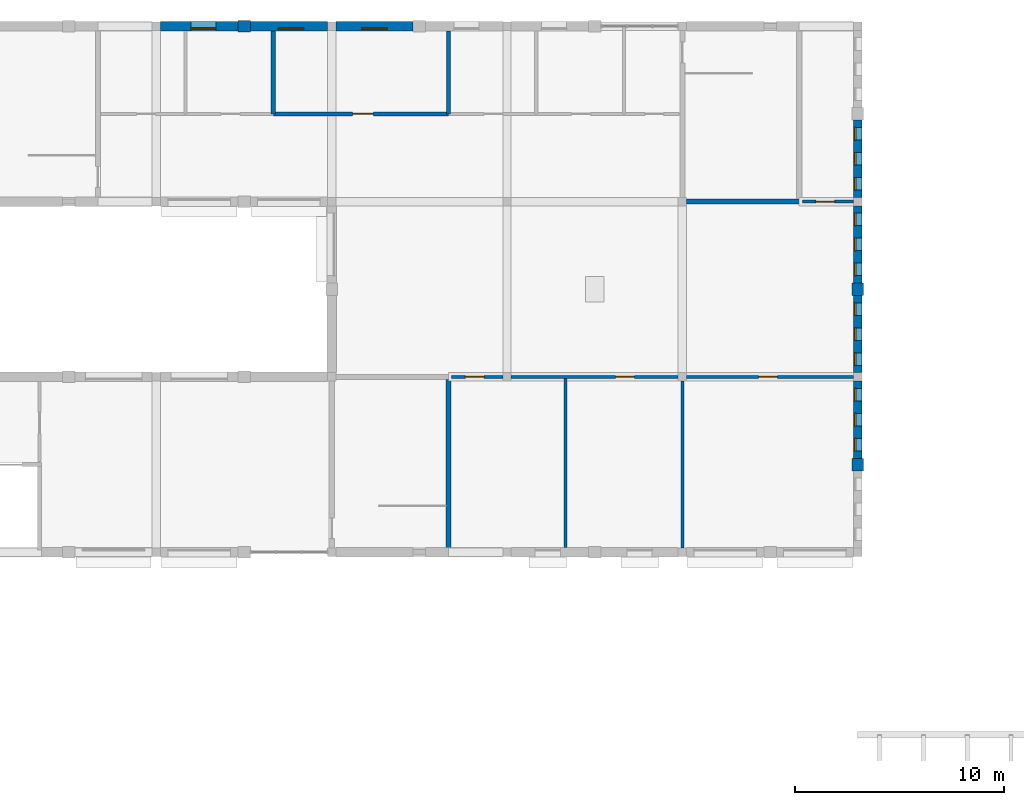
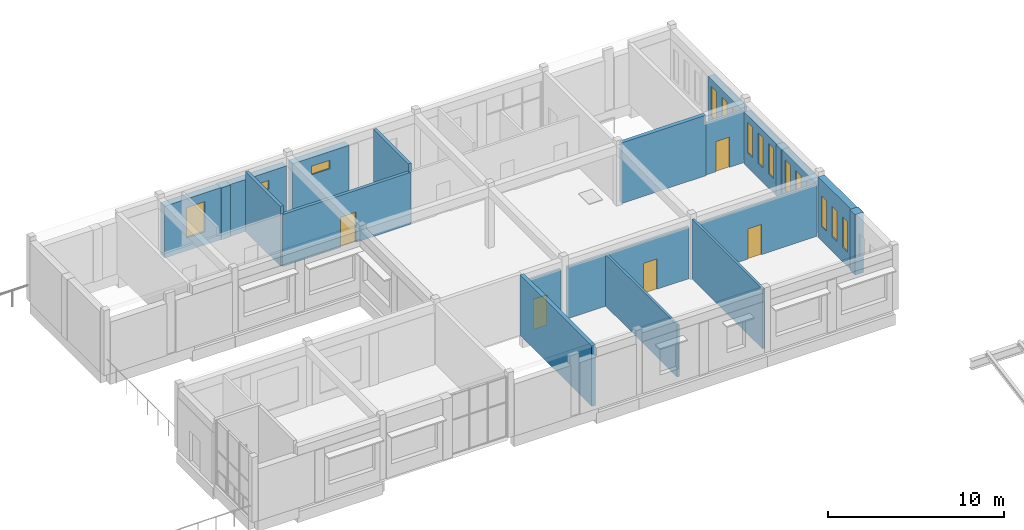
# One storey, part 25 of 30: 21 walls, 15 windows, 5 doors, 20 openings.
"""IFC4 building model written with IfcOpenShell, lengths in metres."""

from ifc_helpers import new_model, si_unit, direction, frame, frame_2d, origin, place, context, subcontext, project, spatial, rectangle, extrude, material, layer, layer_set, type_object, element, fill, save


model = new_model("IFC4")

# Units and contexts
model_context = context("Model", 3, precision=1e-05, world=origin(), true_north=direction((0.0, 1.0)))
body_context = subcontext(model_context, "Body", "Model", "MODEL_VIEW")
ifc_project = project(units=[si_unit("LENGTHUNIT", "METRE"), si_unit("AREAUNIT", "SQUARE_METRE"), si_unit("VOLUMEUNIT", "CUBIC_METRE"), si_unit("PLANEANGLEUNIT", "RADIAN"), si_unit("MASSUNIT", "GRAM", prefix="KILO")], contexts=[model_context])

# Site, building, storey
site_placement = place(None, origin())
site = spatial("IfcSite", under=ifc_project, at=site_placement, CompositionType="ELEMENT")
building_placement = place(site_placement, origin())
building = spatial("IfcBuilding", under=site, at=building_placement, Name="Fescue Hill Polytechnic", CompositionType="ELEMENT")
storey_placement = place(building_placement, frame((0.0, 0.0, 22.5)))
storey = spatial("IfcBuildingStorey", under=building, at=storey_placement, Name="L05", CompositionType="ELEMENT", Elevation=22.5)

# Walls
ifc_material_1 = material(Name="Clay brick masonry", Category="masonry")
ifc_layer_1 = layer(ifc_material_1, 0.550048828125)
ifc_layer_set_1 = layer_set([ifc_layer_1], Name="Clay brick masonry")
wall_type_1 = type_object("IfcWallType", Name="Brick pier 600x550", PredefinedType="SOLIDWALL", material=ifc_layer_set_1)
wall_1_placement = place(storey_placement, frame((117.60009765625, 113.10009765625, 0.0), z_axis=(0.0, 0.0, 1.0), x_axis=(0.0, 1.0, 0.0)))
element("IfcWall", 1, at=wall_1_placement, inside=storey, type_object=wall_type_1, Name="PR-L05-V4b-12", PredefinedType="SOLIDWALL", context=body_context, shape_type="SweptSolid", body=[
    extrude(rectangle(XDim=0.599853515625, YDim=0.550048828125, at=frame_2d((0.2998046875, 0.0))), origin(), (0.0, 0.0, 1.0), 4.199951171875),
])
for number, where, z_axis, x_axis, name in (
    (2, (117.60009765625, 121.5, 0.0), (0.0, 0.0, 1.0), (0.0, 1.0, 0.0), "PR-L05-V4b-13"),
    (3, (88.5, 134.39990234375, 0.0), (0.0, 0.0, 1.0), (-1.0, 0.0, 0.0), "PR-L05-V4b-18"),
):
    element("IfcWall", number, at=place(storey_placement, frame(where, z_axis=z_axis, x_axis=x_axis)), inside=storey, type_object=wall_type_1, Name=name, PredefinedType="SOLIDWALL", context=body_context, shape_type="SweptSolid", body=[
        extrude(rectangle(XDim=0.60009765625, YDim=0.550048828125, at=frame_2d((0.300048828125, 0.0))), origin(), (0.0, 0.0, 1.0), 3.60009765625),
    ])
ifc_material_2 = material(Name="Concrete 40 MPa", Category="concrete")
ifc_layer_2 = layer(ifc_material_2, 0.25)
ifc_layer_set_2 = layer_set([ifc_layer_2], Name="Concrete 40 MPa")
wall_type_2 = type_object("IfcWallType", Name="Core wall 250", PredefinedType="SHEAR", material=ifc_layer_set_2)
wall_2_placement = place(storey_placement, frame((109.39990234375, 126.0, 0.0), z_axis=(0.0, 0.0, 1.0), x_axis=(1.0, 0.0, 0.0)))
element("IfcWall", 4, at=wall_2_placement, inside=storey, type_object=wall_type_2, Name="CW-L05-ST-V4b-2-11", PredefinedType="SHEAR", context=body_context, shape_type="SweptSolid", body=[
    extrude(rectangle(XDim=5.525146484375, YDim=0.25, at=frame_2d((2.7626953125, 0.0))), origin(), (0.0, 0.0, 1.0), 4.199951171875),
])
wall_3_placement = place(storey_placement, frame((98.0, 109.324951171875, 0.0), z_axis=(0.0, 0.0, 1.0), x_axis=(0.0, 1.0, 0.0)))
element("IfcWall", 5, at=wall_3_placement, inside=storey, type_object=wall_type_2, Name="CW-L05-ST-V4b-3-41", PredefinedType="SHEAR", context=body_context, shape_type="SweptSolid", body=[
    extrude(rectangle(XDim=8.150146484375, YDim=0.25, at=frame_2d((4.0751953125, 0.0))), origin(), (0.0, 0.0, 1.0), 4.199951171875),
])

# Wall, opening, door
ifc_material_3 = material(Name="Gypsum board partition")
ifc_layer_3 = layer(ifc_material_3, 0.14990234375)
ifc_layer_set_3 = layer_set([ifc_layer_3], Name="Gypsum board partition")
wall_type_3 = type_object("IfcWallType", Name="Corridor wall 150 EI 45", PredefinedType="PARTITIONING", material=ifc_layer_set_3)
wall_4_placement = place(storey_placement, frame((98.14990234375, 117.60009765625, 0.0), z_axis=(0.0, 0.0, 1.0), x_axis=(1.0, 0.0, 0.0)))
wall_4 = element("IfcWall", 6, at=wall_4_placement, inside=storey, type_object=wall_type_3, Name="IW-L05-027", PredefinedType="PARTITIONING", context=body_context, shape_type="SweptSolid", body=[
    extrude(rectangle(XDim=2.4501953125, YDim=0.14990234375, at=frame_2d((1.22509765625, 0.0))), origin(), (0.0, 0.0, 1.0), 3.60009765625),
])
opening_1_placement = place(wall_4_placement, frame((0.64990234375, 0.0, 0.0)))
opening_1 = element("IfcOpeningElement", 7, at=opening_1_placement, cuts=wall_4, Name="Opening D5031", PredefinedType="OPENING", context=body_context, shape_type="SweptSolid", body=[
    extrude(rectangle(XDim=0.89990234375, YDim=2.10009765625, at=frame_2d((0.449951171875, 1.050048828125))), frame((0.0, 0.0849609375, 0.0), z_axis=(0.0, -1.0, 0.0), x_axis=(1.0, 0.0, 0.0)), (0.0, 0.0, 1.0), 0.169921875),
])
ifc_material_4 = material(Name="Timber", Category="wood")
door_type_1 = type_object("IfcDoorType", Name="Door single swing 900x2100 FD30S", OperationType="SINGLE_SWING_LEFT", PredefinedType="DOOR", material=ifc_material_4)
door_1_placement = place(opening_1_placement, origin())
door_1 = element("IfcDoor", 8, at=door_1_placement, inside=storey, type_object=door_type_1, Name="Door D5031", OperationType="SINGLE_SWING_LEFT", OverallHeight=2.10009765625, OverallWidth=0.89990234375, PredefinedType="DOOR", context=body_context, shape_type="SweptSolid", body=[
    extrude(rectangle(XDim=0.89990234375, YDim=2.10009765625, at=frame_2d((0.449951171875, 1.050048828125))), frame((0.0, 0.02490234375, 0.0), z_axis=(0.0, -1.0, 0.0), x_axis=(1.0, 0.0, 0.0)), (0.0, 0.0, 1.0), 0.050048828125),
])
fill(opening_1, door_1)

wall_5_placement = place(storey_placement, frame((101.0, 117.60009765625, 0.0), z_axis=(0.0, 0.0, 1.0), x_axis=(1.0, 0.0, 0.0)))
wall_5 = element("IfcWall", 9, at=wall_5_placement, inside=storey, type_object=wall_type_3, Name="IW-L05-028", PredefinedType="PARTITIONING", context=body_context, shape_type="SweptSolid", body=[
    extrude(rectangle(XDim=8.0, YDim=0.14990234375, at=frame_2d((4.0, 0.0))), origin(), (0.0, 0.0, 1.0), 3.60009765625),
])
opening_2_placement = place(wall_5_placement, frame((5.0, 0.0, 0.0)))
opening_2 = element("IfcOpeningElement", 10, at=opening_2_placement, cuts=wall_5, Name="Opening D5032", PredefinedType="OPENING", context=body_context, shape_type="SweptSolid", body=[
    extrude(rectangle(XDim=0.89990234375, YDim=2.10009765625, at=frame_2d((0.449951171875, 1.050048828125))), frame((0.0, 0.0849609375, 0.0), z_axis=(0.0, -1.0, 0.0), x_axis=(1.0, 0.0, 0.0)), (0.0, 0.0, 1.0), 0.169921875),
])
door_2_placement = place(opening_2_placement, origin())
door_2 = element("IfcDoor", 11, at=door_2_placement, inside=storey, type_object=door_type_1, Name="Door D5032", OperationType="SINGLE_SWING_RIGHT", OverallHeight=2.10009765625, OverallWidth=0.89990234375, PredefinedType="DOOR", context=body_context, shape_type="SweptSolid", body=[
    extrude(rectangle(XDim=0.89990234375, YDim=2.10009765625, at=frame_2d((0.449951171875, 1.050048828125))), frame((0.0, 0.02490234375, 0.0), z_axis=(0.0, -1.0, 0.0), x_axis=(1.0, 0.0, 0.0)), (0.0, 0.0, 1.0), 0.050048828125),
])
fill(opening_2, door_2)

wall_6_placement = place(storey_placement, frame((109.39990234375, 117.60009765625, 0.0), z_axis=(0.0, 0.0, 1.0), x_axis=(1.0, 0.0, 0.0)))
wall_6 = element("IfcWall", 12, at=wall_6_placement, inside=storey, type_object=wall_type_3, Name="IW-L05-029", PredefinedType="PARTITIONING", context=body_context, shape_type="SweptSolid", body=[
    extrude(rectangle(XDim=8.0, YDim=0.14990234375, at=frame_2d((4.0, 0.0))), origin(), (0.0, 0.0, 1.0), 3.60009765625),
])
opening_3_placement = place(wall_6_placement, frame((3.449951171875, 0.0, 0.0)))
opening_3 = element("IfcOpeningElement", 13, at=opening_3_placement, cuts=wall_6, Name="Opening D5033", PredefinedType="OPENING", context=body_context, shape_type="SweptSolid", body=[
    extrude(rectangle(XDim=0.89990234375, YDim=2.10009765625, at=frame_2d((0.449951171875, 1.050048828125))), frame((0.0, 0.0849609375, 0.0), z_axis=(0.0, -1.0, 0.0), x_axis=(1.0, 0.0, 0.0)), (0.0, 0.0, 1.0), 0.169921875),
])
door_3_placement = place(opening_3_placement, origin())
door_3 = element("IfcDoor", 14, at=door_3_placement, inside=storey, type_object=door_type_1, Name="Door D5033", OperationType="SINGLE_SWING_LEFT", OverallHeight=2.10009765625, OverallWidth=0.89990234375, PredefinedType="DOOR", context=body_context, shape_type="SweptSolid", body=[
    extrude(rectangle(XDim=0.89990234375, YDim=2.10009765625, at=frame_2d((0.449951171875, 1.050048828125))), frame((0.0, 0.02490234375, 0.0), z_axis=(0.0, -1.0, 0.0), x_axis=(1.0, 0.0, 0.0)), (0.0, 0.0, 1.0), 0.050048828125),
])
fill(opening_3, door_3)

# Wall, opening, window
ifc_layer_4 = layer(ifc_material_2, 0.449951171875)
ifc_layer_set_4 = layer_set([ifc_layer_4], Name="Concrete 40 MPa")
wall_type_4 = type_object("IfcWallType", Name="Exterior wall board-marked concrete 450", PredefinedType="SOLIDWALL", material=ifc_layer_set_4)
wall_7_placement = place(storey_placement, frame((96.300048828125, 134.39990234375, 0.0), z_axis=(0.0, 0.0, 1.0), x_axis=(-1.0, 0.0, 0.0)))
wall_7 = element("IfcWall", 15, at=wall_7_placement, inside=storey, type_object=wall_type_4, Name="EW-L05-V4b-36", PredefinedType="SOLIDWALL", context=body_context, shape_type="SweptSolid", body=[
    extrude(rectangle(XDim=3.699951171875, YDim=0.449951171875, at=frame_2d((1.85009765625, 0.0))), origin(), (0.0, 0.0, 1.0), 3.60009765625),
])
opening_4_placement = place(wall_7_placement, frame((1.25, 0.0, 2.39990234375)))
opening_4 = element("IfcOpeningElement", 16, at=opening_4_placement, cuts=wall_7, Name="Opening W12", PredefinedType="OPENING", context=body_context, shape_type="SweptSolid", body=[
    extrude(rectangle(XDim=1.199951171875, YDim=0.60009765625, at=frame_2d((0.60009765625, 0.300048828125))), frame((0.0, 0.23486328125, 0.0), z_axis=(0.0, -1.0, 0.0), x_axis=(1.0, 0.0, 0.0)), (0.0, 0.0, 1.0), 0.469970703125),
])
ifc_material_5 = material(Name="Powder-coated aluminium and glass", Category="aluminium")
window_type_1 = type_object("IfcWindowType", Name="Window plant and store high-level 1200x600", PartitioningType="SINGLE_PANEL", PredefinedType="WINDOW", material=ifc_material_5)
window_1_placement = place(opening_4_placement, origin())
window_1 = element("IfcWindow", 17, at=window_1_placement, inside=storey, type_object=window_type_1, Name="WN-L05-V4b-32", OverallHeight=0.60009765625, OverallWidth=1.199951171875, PartitioningType="SINGLE_PANEL", PredefinedType="WINDOW", context=body_context, shape_type="SweptSolid", body=[
    extrude(rectangle(XDim=1.199951171875, YDim=0.60009765625, at=frame_2d((0.60009765625, 0.300048828125))), frame((0.0, 0.135009765625, 0.0), z_axis=(0.0, -1.0, 0.0), x_axis=(1.0, 0.0, 0.0)), (0.0, 0.0, 1.0), 0.06005859375),
])
fill(opening_4, window_1)

wall_8_placement = place(storey_placement, frame((92.199951171875, 134.39990234375, 0.0), z_axis=(0.0, 0.0, 1.0), x_axis=(-1.0, 0.0, 0.0)))
wall_8 = element("IfcWall", 18, at=wall_8_placement, inside=storey, type_object=wall_type_4, Name="EW-L05-V4b-37", PredefinedType="SOLIDWALL", context=body_context, shape_type="SweptSolid", body=[
    extrude(rectangle(XDim=3.699951171875, YDim=0.449951171875, at=frame_2d((1.85009765625, 0.0))), origin(), (0.0, 0.0, 1.0), 3.60009765625),
])
opening_5_placement = place(wall_8_placement, frame((1.14990234375, 0.0, 2.39990234375)))
opening_5 = element("IfcOpeningElement", 19, at=opening_5_placement, cuts=wall_8, Name="Opening W12", PredefinedType="OPENING", context=body_context, shape_type="SweptSolid", body=[
    extrude(rectangle(XDim=1.199951171875, YDim=0.60009765625, at=frame_2d((0.60009765625, 0.300048828125))), frame((0.0, 0.23486328125, 0.0), z_axis=(0.0, -1.0, 0.0), x_axis=(1.0, 0.0, 0.0)), (0.0, 0.0, 1.0), 0.469970703125),
])
window_2_placement = place(opening_5_placement, origin())
window_2 = element("IfcWindow", 20, at=window_2_placement, inside=storey, type_object=window_type_1, Name="WN-L05-V4b-33", OverallHeight=0.60009765625, OverallWidth=1.199951171875, PartitioningType="SINGLE_PANEL", PredefinedType="WINDOW", context=body_context, shape_type="SweptSolid", body=[
    extrude(rectangle(XDim=1.199951171875, YDim=0.60009765625, at=frame_2d((0.60009765625, 0.300048828125))), frame((0.0, 0.135009765625, 0.0), z_axis=(0.0, -1.0, 0.0), x_axis=(1.0, 0.0, 0.0)), (0.0, 0.0, 1.0), 0.06005859375),
])
fill(opening_5, window_2)

wall_9_placement = place(storey_placement, frame((87.89990234375, 134.39990234375, 0.0), z_axis=(0.0, 0.0, 1.0), x_axis=(-1.0, 0.0, 0.0)))
wall_9 = element("IfcWall", 21, at=wall_9_placement, inside=storey, type_object=wall_type_4, Name="EW-L05-V4b-38", PredefinedType="SOLIDWALL", context=body_context, shape_type="SweptSolid", body=[
    extrude(rectangle(XDim=3.699951171875, YDim=0.449951171875, at=frame_2d((1.85009765625, 0.0))), origin(), (0.0, 0.0, 1.0), 3.60009765625),
])
opening_6_placement = place(wall_9_placement, frame((1.050048828125, 0.0, 0.89990234375)))
opening_6 = element("IfcOpeningElement", 22, at=opening_6_placement, cuts=wall_9, Name="Opening W13", PredefinedType="OPENING", context=body_context, shape_type="SweptSolid", body=[
    extrude(rectangle(XDim=1.199951171875, YDim=2.10009765625, at=frame_2d((0.60009765625, 1.050048828125))), frame((0.0, 0.23486328125, 0.0), z_axis=(0.0, -1.0, 0.0), x_axis=(1.0, 0.0, 0.0)), (0.0, 0.0, 1.0), 0.469970703125),
])
window_type_2 = type_object("IfcWindowType", Name="Window cellular office 1200x2100", PartitioningType="SINGLE_PANEL", PredefinedType="WINDOW", material=ifc_material_5)
window_3_placement = place(opening_6_placement, origin())
window_3 = element("IfcWindow", 23, at=window_3_placement, inside=storey, type_object=window_type_2, Name="WN-L05-V4b-34", OverallHeight=2.10009765625, OverallWidth=1.199951171875, PartitioningType="SINGLE_PANEL", PredefinedType="WINDOW", context=body_context, shape_type="SweptSolid", body=[
    extrude(rectangle(XDim=1.199951171875, YDim=2.10009765625, at=frame_2d((0.60009765625, 1.050048828125))), frame((0.0, 0.135009765625, 0.0), z_axis=(0.0, -1.0, 0.0), x_axis=(1.0, 0.0, 0.0)), (0.0, 0.0, 1.0), 0.06005859375),
])
fill(opening_6, window_3)

# Wall, openings, windows
ifc_layer_5 = layer(ifc_material_1, 0.419921875)
ifc_layer_set_5 = layer_set([ifc_layer_5], Name="Clay brick masonry")
wall_type_5 = type_object("IfcWallType", Name="Exterior wall buff-red brick cavity 420", PredefinedType="SOLIDWALL", material=ifc_layer_set_5)
wall_10_placement = place(storey_placement, frame((117.60009765625, 113.699951171875, 0.0), z_axis=(0.0, 0.0, 1.0), x_axis=(0.0, 1.0, 0.0)))
wall_10 = element("IfcWall", 24, at=wall_10_placement, inside=storey, type_object=wall_type_5, Name="EW-L05-V4b-26", PredefinedType="SOLIDWALL", context=body_context, shape_type="SweptSolid", body=[
    extrude(rectangle(XDim=3.699951171875, YDim=0.419921875, at=frame_2d((1.85009765625, 0.0))), origin(), (0.0, 0.0, 1.0), 4.199951171875),
])
opening_7_placement = place(wall_10_placement, frame((0.35009765625, 0.0, 1.0)))
opening_7 = element("IfcOpeningElement", 25, at=opening_7_placement, cuts=wall_10, Name="Opening W6", PredefinedType="OPENING", context=body_context, shape_type="SweptSolid", body=[
    extrude(rectangle(XDim=0.60009765625, YDim=2.10009765625, at=frame_2d((0.300048828125, 1.050048828125))), frame((0.0, 0.219970703125, 0.0), z_axis=(0.0, -1.0, 0.0), x_axis=(1.0, 0.0, 0.0)), (0.0, 0.0, 1.0), 0.43994140625),
])
opening_8_placement = place(wall_10_placement, frame((1.550048828125, 0.0, 1.0)))
opening_8 = element("IfcOpeningElement", 26, at=opening_8_placement, cuts=wall_10, Name="Opening W6", PredefinedType="OPENING", context=body_context, shape_type="SweptSolid", body=[
    extrude(rectangle(XDim=0.60009765625, YDim=2.10009765625, at=frame_2d((0.300048828125, 1.050048828125))), frame((0.0, 0.219970703125, 0.0), z_axis=(0.0, -1.0, 0.0), x_axis=(1.0, 0.0, 0.0)), (0.0, 0.0, 1.0), 0.43994140625),
])
opening_9_placement = place(wall_10_placement, frame((2.75, 0.0, 1.0)))
opening_9 = element("IfcOpeningElement", 27, at=opening_9_placement, cuts=wall_10, Name="Opening W6", PredefinedType="OPENING", context=body_context, shape_type="SweptSolid", body=[
    extrude(rectangle(XDim=0.60009765625, YDim=2.10009765625, at=frame_2d((0.300048828125, 1.050048828125))), frame((0.0, 0.219970703125, 0.0), z_axis=(0.0, -1.0, 0.0), x_axis=(1.0, 0.0, 0.0)), (0.0, 0.0, 1.0), 0.43994140625),
])
window_type_3 = type_object("IfcWindowType", Name="Window slot 600x2100", PartitioningType="SINGLE_PANEL", PredefinedType="WINDOW", material=ifc_material_5)
window_4_placement = place(opening_7_placement, origin())
window_4 = element("IfcWindow", 28, at=window_4_placement, inside=storey, type_object=window_type_3, Name="WN-L05-V4b-15", OverallHeight=2.10009765625, OverallWidth=0.60009765625, PartitioningType="SINGLE_PANEL", PredefinedType="WINDOW", context=body_context, shape_type="SweptSolid", body=[
    extrude(rectangle(XDim=0.60009765625, YDim=2.10009765625, at=frame_2d((0.300048828125, 1.050048828125))), frame((0.0, 0.150146484375, 0.0), z_axis=(0.0, -1.0, 0.0), x_axis=(1.0, 0.0, 0.0)), (0.0, 0.0, 1.0), 0.06005859375),
])
fill(opening_7, window_4)
window_5_placement = place(opening_8_placement, origin())
window_5 = element("IfcWindow", 29, at=window_5_placement, inside=storey, type_object=window_type_3, Name="WN-L05-V4b-16", OverallHeight=2.10009765625, OverallWidth=0.60009765625, PartitioningType="SINGLE_PANEL", PredefinedType="WINDOW", context=body_context, shape_type="SweptSolid", body=[
    extrude(rectangle(XDim=0.60009765625, YDim=2.10009765625, at=frame_2d((0.300048828125, 1.050048828125))), frame((0.0, 0.150146484375, 0.0), z_axis=(0.0, -1.0, 0.0), x_axis=(1.0, 0.0, 0.0)), (0.0, 0.0, 1.0), 0.06005859375),
])
fill(opening_8, window_5)
window_6_placement = place(opening_9_placement, origin())
window_6 = element("IfcWindow", 30, at=window_6_placement, inside=storey, type_object=window_type_3, Name="WN-L05-V4b-17", OverallHeight=2.10009765625, OverallWidth=0.60009765625, PartitioningType="SINGLE_PANEL", PredefinedType="WINDOW", context=body_context, shape_type="SweptSolid", body=[
    extrude(rectangle(XDim=0.60009765625, YDim=2.10009765625, at=frame_2d((0.300048828125, 1.050048828125))), frame((0.0, 0.150146484375, 0.0), z_axis=(0.0, -1.0, 0.0), x_axis=(1.0, 0.0, 0.0)), (0.0, 0.0, 1.0), 0.06005859375),
])
fill(opening_9, window_6)

wall_11_placement = place(storey_placement, frame((117.60009765625, 117.800048828125, 0.0), z_axis=(0.0, 0.0, 1.0), x_axis=(0.0, 1.0, 0.0)))
wall_11 = element("IfcWall", 31, at=wall_11_placement, inside=storey, type_object=wall_type_5, Name="EW-L05-V4b-27", PredefinedType="SOLIDWALL", context=body_context, shape_type="SweptSolid", body=[
    extrude(rectangle(XDim=3.699951171875, YDim=0.419921875, at=frame_2d((1.85009765625, 0.0))), origin(), (0.0, 0.0, 1.0), 3.60009765625),
])
opening_10_placement = place(wall_11_placement, frame((0.35009765625, 0.0, 1.0)))
opening_10 = element("IfcOpeningElement", 32, at=opening_10_placement, cuts=wall_11, Name="Opening W6", PredefinedType="OPENING", context=body_context, shape_type="SweptSolid", body=[
    extrude(rectangle(XDim=0.60009765625, YDim=2.10009765625, at=frame_2d((0.300048828125, 1.050048828125))), frame((0.0, 0.219970703125, 0.0), z_axis=(0.0, -1.0, 0.0), x_axis=(1.0, 0.0, 0.0)), (0.0, 0.0, 1.0), 0.43994140625),
])
opening_11_placement = place(wall_11_placement, frame((1.550048828125, 0.0, 1.0)))
opening_11 = element("IfcOpeningElement", 33, at=opening_11_placement, cuts=wall_11, Name="Opening W6", PredefinedType="OPENING", context=body_context, shape_type="SweptSolid", body=[
    extrude(rectangle(XDim=0.60009765625, YDim=2.10009765625, at=frame_2d((0.300048828125, 1.050048828125))), frame((0.0, 0.219970703125, 0.0), z_axis=(0.0, -1.0, 0.0), x_axis=(1.0, 0.0, 0.0)), (0.0, 0.0, 1.0), 0.43994140625),
])
opening_12_placement = place(wall_11_placement, frame((2.75, 0.0, 1.0)))
opening_12 = element("IfcOpeningElement", 34, at=opening_12_placement, cuts=wall_11, Name="Opening W6", PredefinedType="OPENING", context=body_context, shape_type="SweptSolid", body=[
    extrude(rectangle(XDim=0.60009765625, YDim=2.10009765625, at=frame_2d((0.300048828125, 1.050048828125))), frame((0.0, 0.219970703125, 0.0), z_axis=(0.0, -1.0, 0.0), x_axis=(1.0, 0.0, 0.0)), (0.0, 0.0, 1.0), 0.43994140625),
])
window_7_placement = place(opening_10_placement, origin())
window_7 = element("IfcWindow", 35, at=window_7_placement, inside=storey, type_object=window_type_3, Name="WN-L05-V4b-18", OverallHeight=2.10009765625, OverallWidth=0.60009765625, PartitioningType="SINGLE_PANEL", PredefinedType="WINDOW", context=body_context, shape_type="SweptSolid", body=[
    extrude(rectangle(XDim=0.60009765625, YDim=2.10009765625, at=frame_2d((0.300048828125, 1.050048828125))), frame((0.0, 0.150146484375, 0.0), z_axis=(0.0, -1.0, 0.0), x_axis=(1.0, 0.0, 0.0)), (0.0, 0.0, 1.0), 0.06005859375),
])
fill(opening_10, window_7)
window_8_placement = place(opening_11_placement, origin())
window_8 = element("IfcWindow", 36, at=window_8_placement, inside=storey, type_object=window_type_3, Name="WN-L05-V4b-19", OverallHeight=2.10009765625, OverallWidth=0.60009765625, PartitioningType="SINGLE_PANEL", PredefinedType="WINDOW", context=body_context, shape_type="SweptSolid", body=[
    extrude(rectangle(XDim=0.60009765625, YDim=2.10009765625, at=frame_2d((0.300048828125, 1.050048828125))), frame((0.0, 0.150146484375, 0.0), z_axis=(0.0, -1.0, 0.0), x_axis=(1.0, 0.0, 0.0)), (0.0, 0.0, 1.0), 0.06005859375),
])
fill(opening_11, window_8)
window_9_placement = place(opening_12_placement, origin())
window_9 = element("IfcWindow", 37, at=window_9_placement, inside=storey, type_object=window_type_3, Name="WN-L05-V4b-20", OverallHeight=2.10009765625, OverallWidth=0.60009765625, PartitioningType="SINGLE_PANEL", PredefinedType="WINDOW", context=body_context, shape_type="SweptSolid", body=[
    extrude(rectangle(XDim=0.60009765625, YDim=2.10009765625, at=frame_2d((0.300048828125, 1.050048828125))), frame((0.0, 0.150146484375, 0.0), z_axis=(0.0, -1.0, 0.0), x_axis=(1.0, 0.0, 0.0)), (0.0, 0.0, 1.0), 0.06005859375),
])
fill(opening_12, window_9)

wall_12_placement = place(storey_placement, frame((117.60009765625, 122.10009765625, 0.0), z_axis=(0.0, 0.0, 1.0), x_axis=(0.0, 1.0, 0.0)))
wall_12 = element("IfcWall", 38, at=wall_12_placement, inside=storey, type_object=wall_type_5, Name="EW-L05-V4b-28", PredefinedType="SOLIDWALL", context=body_context, shape_type="SweptSolid", body=[
    extrude(rectangle(XDim=3.699951171875, YDim=0.419921875, at=frame_2d((1.85009765625, 0.0))), origin(), (0.0, 0.0, 1.0), 3.60009765625),
])
opening_13_placement = place(wall_12_placement, frame((0.35009765625, 0.0, 1.0)))
opening_13 = element("IfcOpeningElement", 39, at=opening_13_placement, cuts=wall_12, Name="Opening W6", PredefinedType="OPENING", context=body_context, shape_type="SweptSolid", body=[
    extrude(rectangle(XDim=0.60009765625, YDim=2.10009765625, at=frame_2d((0.300048828125, 1.050048828125))), frame((0.0, 0.219970703125, 0.0), z_axis=(0.0, -1.0, 0.0), x_axis=(1.0, 0.0, 0.0)), (0.0, 0.0, 1.0), 0.43994140625),
])
opening_14_placement = place(wall_12_placement, frame((1.550048828125, 0.0, 1.0)))
opening_14 = element("IfcOpeningElement", 40, at=opening_14_placement, cuts=wall_12, Name="Opening W6", PredefinedType="OPENING", context=body_context, shape_type="SweptSolid", body=[
    extrude(rectangle(XDim=0.60009765625, YDim=2.10009765625, at=frame_2d((0.300048828125, 1.050048828125))), frame((0.0, 0.219970703125, 0.0), z_axis=(0.0, -1.0, 0.0), x_axis=(1.0, 0.0, 0.0)), (0.0, 0.0, 1.0), 0.43994140625),
])
opening_15_placement = place(wall_12_placement, frame((2.75, 0.0, 1.0)))
opening_15 = element("IfcOpeningElement", 41, at=opening_15_placement, cuts=wall_12, Name="Opening W6", PredefinedType="OPENING", context=body_context, shape_type="SweptSolid", body=[
    extrude(rectangle(XDim=0.60009765625, YDim=2.10009765625, at=frame_2d((0.300048828125, 1.050048828125))), frame((0.0, 0.219970703125, 0.0), z_axis=(0.0, -1.0, 0.0), x_axis=(1.0, 0.0, 0.0)), (0.0, 0.0, 1.0), 0.43994140625),
])
window_10_placement = place(opening_13_placement, origin())
window_10 = element("IfcWindow", 42, at=window_10_placement, inside=storey, type_object=window_type_3, Name="WN-L05-V4b-21", OverallHeight=2.10009765625, OverallWidth=0.60009765625, PartitioningType="SINGLE_PANEL", PredefinedType="WINDOW", context=body_context, shape_type="SweptSolid", body=[
    extrude(rectangle(XDim=0.60009765625, YDim=2.10009765625, at=frame_2d((0.300048828125, 1.050048828125))), frame((0.0, 0.150146484375, 0.0), z_axis=(0.0, -1.0, 0.0), x_axis=(1.0, 0.0, 0.0)), (0.0, 0.0, 1.0), 0.06005859375),
])
fill(opening_13, window_10)
window_11_placement = place(opening_14_placement, origin())
window_11 = element("IfcWindow", 43, at=window_11_placement, inside=storey, type_object=window_type_3, Name="WN-L05-V4b-22", OverallHeight=2.10009765625, OverallWidth=0.60009765625, PartitioningType="SINGLE_PANEL", PredefinedType="WINDOW", context=body_context, shape_type="SweptSolid", body=[
    extrude(rectangle(XDim=0.60009765625, YDim=2.10009765625, at=frame_2d((0.300048828125, 1.050048828125))), frame((0.0, 0.150146484375, 0.0), z_axis=(0.0, -1.0, 0.0), x_axis=(1.0, 0.0, 0.0)), (0.0, 0.0, 1.0), 0.06005859375),
])
fill(opening_14, window_11)
window_12_placement = place(opening_15_placement, origin())
window_12 = element("IfcWindow", 44, at=window_12_placement, inside=storey, type_object=window_type_3, Name="WN-L05-V4b-23", OverallHeight=2.10009765625, OverallWidth=0.60009765625, PartitioningType="SINGLE_PANEL", PredefinedType="WINDOW", context=body_context, shape_type="SweptSolid", body=[
    extrude(rectangle(XDim=0.60009765625, YDim=2.10009765625, at=frame_2d((0.300048828125, 1.050048828125))), frame((0.0, 0.150146484375, 0.0), z_axis=(0.0, -1.0, 0.0), x_axis=(1.0, 0.0, 0.0)), (0.0, 0.0, 1.0), 0.06005859375),
])
fill(opening_15, window_12)

wall_13_placement = place(storey_placement, frame((117.60009765625, 126.199951171875, 0.0), z_axis=(0.0, 0.0, 1.0), x_axis=(0.0, 1.0, 0.0)))
wall_13 = element("IfcWall", 45, at=wall_13_placement, inside=storey, type_object=wall_type_5, Name="EW-L05-V4b-29", PredefinedType="SOLIDWALL", context=body_context, shape_type="SweptSolid", body=[
    extrude(rectangle(XDim=3.699951171875, YDim=0.419921875, at=frame_2d((1.85009765625, 0.0))), origin(), (0.0, 0.0, 1.0), 3.60009765625),
])
opening_16_placement = place(wall_13_placement, frame((0.35009765625, 0.0, 1.0)))
opening_16 = element("IfcOpeningElement", 46, at=opening_16_placement, cuts=wall_13, Name="Opening W6", PredefinedType="OPENING", context=body_context, shape_type="SweptSolid", body=[
    extrude(rectangle(XDim=0.60009765625, YDim=2.10009765625, at=frame_2d((0.300048828125, 1.050048828125))), frame((0.0, 0.219970703125, 0.0), z_axis=(0.0, -1.0, 0.0), x_axis=(1.0, 0.0, 0.0)), (0.0, 0.0, 1.0), 0.43994140625),
])
opening_17_placement = place(wall_13_placement, frame((1.550048828125, 0.0, 1.0)))
opening_17 = element("IfcOpeningElement", 47, at=opening_17_placement, cuts=wall_13, Name="Opening W6", PredefinedType="OPENING", context=body_context, shape_type="SweptSolid", body=[
    extrude(rectangle(XDim=0.60009765625, YDim=2.10009765625, at=frame_2d((0.300048828125, 1.050048828125))), frame((0.0, 0.219970703125, 0.0), z_axis=(0.0, -1.0, 0.0), x_axis=(1.0, 0.0, 0.0)), (0.0, 0.0, 1.0), 0.43994140625),
])
opening_18_placement = place(wall_13_placement, frame((2.75, 0.0, 1.0)))
opening_18 = element("IfcOpeningElement", 48, at=opening_18_placement, cuts=wall_13, Name="Opening W6", PredefinedType="OPENING", context=body_context, shape_type="SweptSolid", body=[
    extrude(rectangle(XDim=0.60009765625, YDim=2.10009765625, at=frame_2d((0.300048828125, 1.050048828125))), frame((0.0, 0.219970703125, 0.0), z_axis=(0.0, -1.0, 0.0), x_axis=(1.0, 0.0, 0.0)), (0.0, 0.0, 1.0), 0.43994140625),
])
window_13_placement = place(opening_16_placement, origin())
window_13 = element("IfcWindow", 49, at=window_13_placement, inside=storey, type_object=window_type_3, Name="WN-L05-V4b-24", OverallHeight=2.10009765625, OverallWidth=0.60009765625, PartitioningType="SINGLE_PANEL", PredefinedType="WINDOW", context=body_context, shape_type="SweptSolid", body=[
    extrude(rectangle(XDim=0.60009765625, YDim=2.10009765625, at=frame_2d((0.300048828125, 1.050048828125))), frame((0.0, 0.150146484375, 0.0), z_axis=(0.0, -1.0, 0.0), x_axis=(1.0, 0.0, 0.0)), (0.0, 0.0, 1.0), 0.06005859375),
])
fill(opening_16, window_13)
window_14_placement = place(opening_17_placement, origin())
window_14 = element("IfcWindow", 50, at=window_14_placement, inside=storey, type_object=window_type_3, Name="WN-L05-V4b-25", OverallHeight=2.10009765625, OverallWidth=0.60009765625, PartitioningType="SINGLE_PANEL", PredefinedType="WINDOW", context=body_context, shape_type="SweptSolid", body=[
    extrude(rectangle(XDim=0.60009765625, YDim=2.10009765625, at=frame_2d((0.300048828125, 1.050048828125))), frame((0.0, 0.150146484375, 0.0), z_axis=(0.0, -1.0, 0.0), x_axis=(1.0, 0.0, 0.0)), (0.0, 0.0, 1.0), 0.06005859375),
])
fill(opening_17, window_14)
window_15_placement = place(opening_18_placement, origin())
window_15 = element("IfcWindow", 51, at=window_15_placement, inside=storey, type_object=window_type_3, Name="WN-L05-V4b-26", OverallHeight=2.10009765625, OverallWidth=0.60009765625, PartitioningType="SINGLE_PANEL", PredefinedType="WINDOW", context=body_context, shape_type="SweptSolid", body=[
    extrude(rectangle(XDim=0.60009765625, YDim=2.10009765625, at=frame_2d((0.300048828125, 1.050048828125))), frame((0.0, 0.150146484375, 0.0), z_axis=(0.0, -1.0, 0.0), x_axis=(1.0, 0.0, 0.0)), (0.0, 0.0, 1.0), 0.06005859375),
])
fill(opening_18, window_15)

# Wall, opening, door
ifc_layer_6 = layer(ifc_material_3, 0.14990234375)
ifc_layer_set_6 = layer_set([ifc_layer_6], Name="Gypsum board partition")
wall_type_6 = type_object("IfcWallType", Name="Lobby wall 150 EI 60", PredefinedType="PARTITIONING", material=ifc_layer_set_6)
wall_14_placement = place(storey_placement, frame((114.949951171875, 126.0, 0.0), z_axis=(0.0, 0.0, 1.0), x_axis=(1.0, 0.0, 0.0)))
wall_14 = element("IfcWall", 52, at=wall_14_placement, inside=storey, type_object=wall_type_6, Name="IW-L05-033", PredefinedType="PARTITIONING", context=body_context, shape_type="SweptSolid", body=[
    extrude(rectangle(XDim=2.449951171875, YDim=0.14990234375, at=frame_2d((1.22509765625, 0.0))), origin(), (0.0, 0.0, 1.0), 3.60009765625),
])
opening_19_placement = place(wall_14_placement, frame((0.64990234375, 0.0, 0.0)))
opening_19 = element("IfcOpeningElement", 53, at=opening_19_placement, cuts=wall_14, Name="Opening D5029", PredefinedType="OPENING", context=body_context, shape_type="SweptSolid", body=[
    extrude(rectangle(XDim=0.89990234375, YDim=2.10009765625, at=frame_2d((0.449951171875, 1.050048828125))), frame((0.0, 0.0849609375, 0.0), z_axis=(0.0, -1.0, 0.0), x_axis=(1.0, 0.0, 0.0)), (0.0, 0.0, 1.0), 0.169921875),
])
ifc_material_6 = material(Name="Steel", Category="steel")
door_type_2 = type_object("IfcDoorType", Name="Door single swing 900x2100 FD60", OperationType="SINGLE_SWING_LEFT", PredefinedType="DOOR", material=ifc_material_6)
door_4_placement = place(opening_19_placement, origin())
door_4 = element("IfcDoor", 54, at=door_4_placement, inside=storey, type_object=door_type_2, Name="Door D5029", OperationType="SINGLE_SWING_LEFT", OverallHeight=2.10009765625, OverallWidth=0.89990234375, PredefinedType="DOOR", context=body_context, shape_type="SweptSolid", body=[
    extrude(rectangle(XDim=0.89990234375, YDim=2.10009765625, at=frame_2d((0.449951171875, 1.050048828125))), frame((0.0, 0.02490234375, 0.0), z_axis=(0.0, -1.0, 0.0), x_axis=(1.0, 0.0, 0.0)), (0.0, 0.0, 1.0), 0.050048828125),
])
fill(opening_19, door_4)

# Walls
ifc_layer_7 = layer(ifc_material_3, 0.14990234375)
ifc_layer_set_7 = layer_set([ifc_layer_7], Name="Gypsum board partition")
wall_type_7 = type_object("IfcWallType", Name="Partition stud 150 acoustic", PredefinedType="PARTITIONING", material=ifc_layer_set_7)
wall_15_placement = place(storey_placement, frame((103.60009765625, 109.425048828125, 0.0), z_axis=(0.0, 0.0, 1.0), x_axis=(0.0, 1.0, 0.0)))
element("IfcWall", 55, at=wall_15_placement, inside=storey, type_object=wall_type_7, Name="IW-L05-065", PredefinedType="PARTITIONING", context=body_context, shape_type="SweptSolid", body=[
    extrude(rectangle(XDim=8.175048828125, YDim=0.14990234375, at=frame_2d((4.08740234375, 0.0))), origin(), (0.0, 0.0, 1.0), 3.60009765625),
])
wall_16_placement = place(storey_placement, frame((109.199951171875, 109.39990234375, 0.0), z_axis=(0.0, 0.0, 1.0), x_axis=(0.0, 1.0, 0.0)))
element("IfcWall", 56, at=wall_16_placement, inside=storey, type_object=wall_type_7, Name="IW-L05-067", PredefinedType="PARTITIONING", context=body_context, shape_type="SweptSolid", body=[
    extrude(rectangle(XDim=8.0, YDim=0.14990234375, at=frame_2d((4.0, 0.0))), origin(), (0.0, 0.0, 1.0), 4.14990234375),
])

# Wall, opening, door
ifc_material_7 = material(Name="Concrete masonry block 15 MPa", Category="masonry")
ifc_layer_8 = layer(ifc_material_7, 0.199951171875)
ifc_layer_set_8 = layer_set([ifc_layer_8], Name="Concrete masonry block 15 MPa")
wall_type_8 = type_object("IfcWallType", Name="Plant room wall 200 block EI 60", PredefinedType="PARTITIONING", material=ifc_layer_set_8)
wall_17_placement = place(storey_placement, frame((89.60009765625, 130.199951171875, 0.0), z_axis=(0.0, 0.0, 1.0), x_axis=(1.0, 0.0, 0.0)))
wall_17 = element("IfcWall", 57, at=wall_17_placement, inside=storey, type_object=wall_type_8, Name="IW-L05-040", PredefinedType="PARTITIONING", context=body_context, shape_type="SweptSolid", body=[
    extrude(rectangle(XDim=8.39990234375, YDim=0.199951171875, at=frame_2d((4.199951171875, 0.0))), origin(), (0.0, 0.0, 1.0), 3.60009765625),
])
opening_20_placement = place(wall_17_placement, frame((3.800048828125, 0.0, 0.0)))
opening_20 = element("IfcOpeningElement", 58, at=opening_20_placement, cuts=wall_17, Name="Opening D5036", PredefinedType="OPENING", context=body_context, shape_type="SweptSolid", body=[
    extrude(rectangle(XDim=1.0, YDim=2.10009765625, at=frame_2d((0.5, 1.050048828125))), frame((0.0, 0.10986328125, 0.0), z_axis=(0.0, -1.0, 0.0), x_axis=(1.0, 0.0, 0.0)), (0.0, 0.0, 1.0), 0.219970703125),
])
door_type_3 = type_object("IfcDoorType", Name="Door single swing 1000x2100 FD60", OperationType="SINGLE_SWING_LEFT", PredefinedType="DOOR", material=ifc_material_6)
door_5_placement = place(opening_20_placement, origin())
door_5 = element("IfcDoor", 59, at=door_5_placement, inside=storey, type_object=door_type_3, Name="Door D5036", OperationType="SINGLE_SWING_RIGHT", OverallHeight=2.10009765625, OverallWidth=1.0, PredefinedType="DOOR", context=body_context, shape_type="SweptSolid", body=[
    extrude(rectangle(XDim=1.0, YDim=2.10009765625, at=frame_2d((0.5, 1.050048828125))), frame((0.0, 0.02490234375, 0.0), z_axis=(0.0, -1.0, 0.0), x_axis=(1.0, 0.0, 0.0)), (0.0, 0.0, 1.0), 0.050048828125),
])
fill(opening_20, door_5)

# Walls
for number, where, z_axis, x_axis, name in (
    (60, (89.60009765625, 130.199951171875, 0.0), (0.0, 0.0, 1.0), (0.0, 1.0, 0.0), "IW-L05-062"),
    (61, (98.0, 130.199951171875, 0.0), (0.0, 0.0, 1.0), (0.0, 1.0, 0.0), "IW-L05-063"),
):
    element("IfcWall", number, at=place(storey_placement, frame(where, z_axis=z_axis, x_axis=x_axis)), inside=storey, type_object=wall_type_8, Name=name, PredefinedType="PARTITIONING", context=body_context, shape_type="SweptSolid", body=[
        extrude(rectangle(XDim=3.97509765625, YDim=0.199951171875, at=frame_2d((1.987548828125, 0.0))), origin(), (0.0, 0.0, 1.0), 4.14990234375),
    ])

save(model, "model.ifc")
